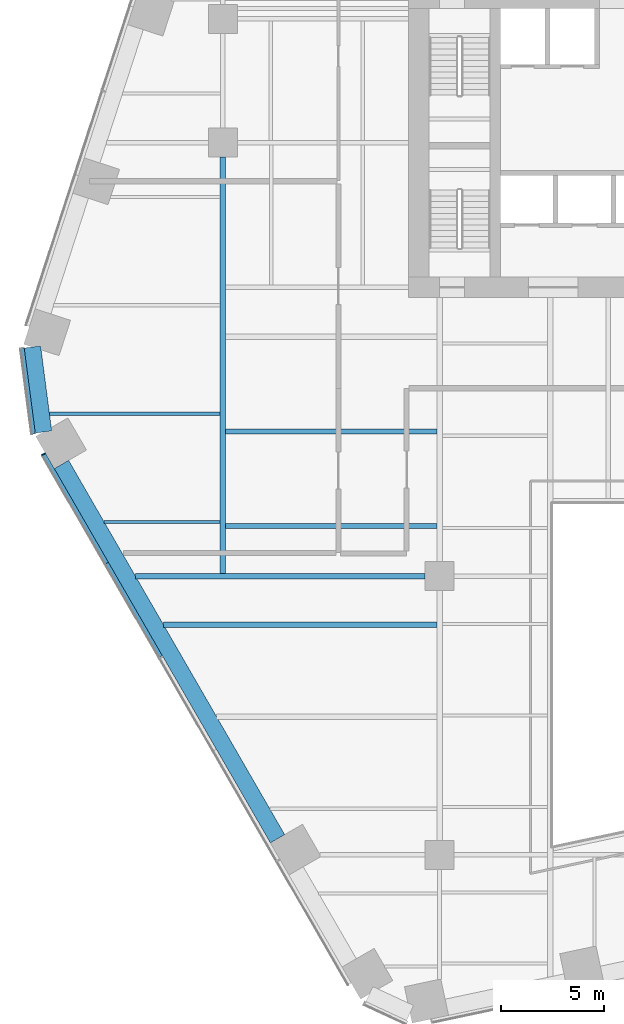
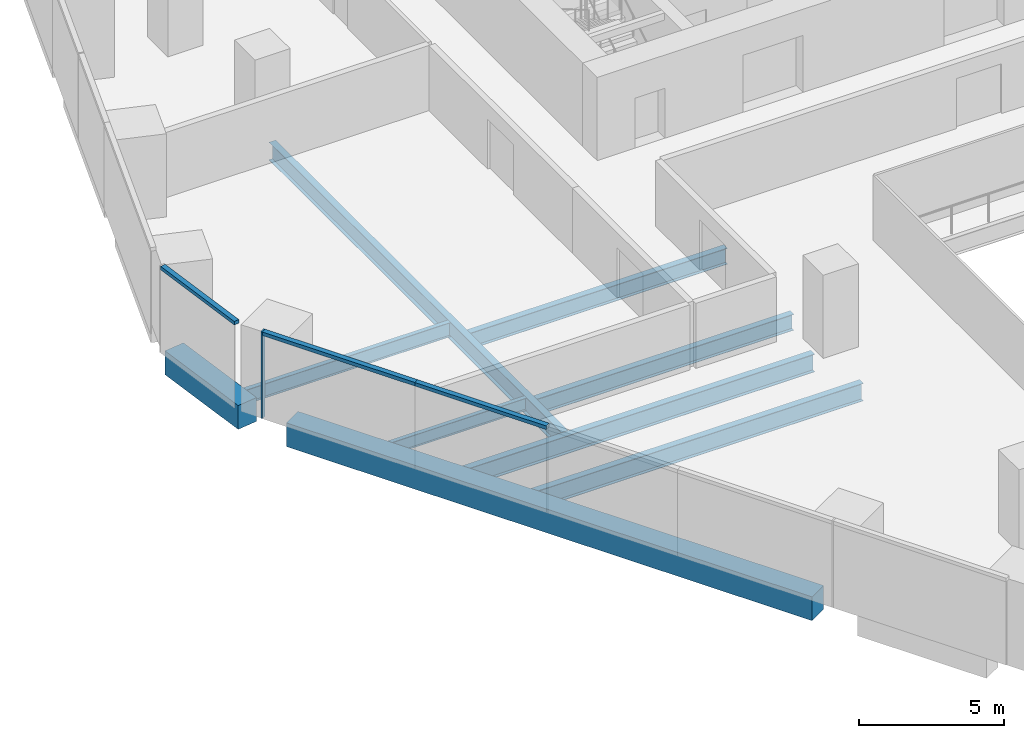
# One storey, part 3 of 20: 9 beams, 4 members, 2 elements without a shape of their own.
"""IFC4 building model written with IfcOpenShell, lengths in metres."""

import ifcopenshell
import ifcopenshell.guid

model = None  # the IFC model being written
_history = None  # IfcOwnerHistory: only IFC2X3 demands one
_inside = {}  # id of a spatial element -> (the spatial element, [elements in it])
_under = {}  # id of a project, library or spatial element -> (it, [spatial elements below it])
_declared = {}  # id of a project -> (the project, [libraries it declares])
_typed = {}  # id of a type object -> (the type object, [elements of that type])
_made_of = {}  # id of a material, layer set ... -> (it, [elements and type objects made of it])


def new_model(schema):
    """Start an empty IFC model of exactly this schema.

    Asked for "IFC4X3", IfcOpenShell would pick the latest addendum, in which some entities
    have other attributes; the version numbers below select the first issue.
    IFC2X3 requires an IfcOwnerHistory on every rooted entity: one is made here for all.
    """
    global model, _history
    if schema == "IFC4X3":
        model = ifcopenshell.file(schema_version=(4, 3, 0, 0))
    else:
        model = ifcopenshell.file(schema=schema)
    _inside.clear()
    _under.clear()
    _declared.clear()
    _typed.clear()
    _made_of.clear()
    _history = None
    if model.schema == "IFC2X3":
        org = make("IfcOrganization", Name="unknown")
        user = make(
            "IfcPersonAndOrganization",
            ThePerson=make("IfcPerson", FamilyName="unknown"),
            TheOrganization=org,
        )
        app = make(
            "IfcApplication",
            ApplicationDeveloper=org,
            Version="unknown",
            ApplicationFullName="unknown",
            ApplicationIdentifier="unknown",
        )
        _history = make(
            "IfcOwnerHistory",
            OwningUser=user,
            OwningApplication=app,
            ChangeAction="ADDED",
            CreationDate=0,
        )
    return model


def make(cls, **values):
    """One entity of the class cls with the attributes given. An attribute that is None is left unset."""
    return model.create_entity(
        cls, **{name: value for name, value in values.items() if value is not None}
    )


def rooted(cls, **values):
    """An entity with a GlobalId (a new one), such as an element, a storey or a relation."""
    return make(cls, GlobalId=ifcopenshell.guid.new(), OwnerHistory=_history, **values)


def si_unit(unit_type, name, prefix=None):
    """IfcSIUnit, for example si_unit("LENGTHUNIT", "METRE", prefix="MILLI")."""
    return make("IfcSIUnit", UnitType=unit_type, Prefix=prefix, Name=name)


def assignment(units):
    """IfcUnitAssignment: the units of a project."""
    return None if units is None else make("IfcUnitAssignment", Units=units)


def point(xyz):
    """IfcCartesianPoint."""
    return None if xyz is None else make("IfcCartesianPoint", Coordinates=xyz)


def direction(xyz):
    """IfcDirection."""
    return None if xyz is None else make("IfcDirection", DirectionRatios=xyz)


def frame(location, z_axis=None, x_axis=None):
    """IfcAxis2Placement3D, a coordinate frame: its origin and axes. An axis left out is left unset."""
    return make(
        "IfcAxis2Placement3D",
        Location=point(location),
        Axis=direction(z_axis),
        RefDirection=direction(x_axis),
    )


def frame_2d(location, x_axis=None):
    """IfcAxis2Placement2D, a coordinate frame in the plane: its origin and x axis."""
    return make(
        "IfcAxis2Placement2D", Location=point(location), RefDirection=direction(x_axis)
    )


def origin():
    """The frame at (0, 0, 0) with its axes left unset."""
    return frame((0.0, 0.0, 0.0))


def origin_2d():
    """The frame at (0, 0) in the plane with its x axis left unset."""
    return frame_2d((0.0, 0.0))


def place(relative_to, where):
    """IfcLocalPlacement: puts the frame where relative to a parent placement (None: the world)."""
    return make(
        "IfcLocalPlacement", PlacementRelTo=relative_to, RelativePlacement=where
    )


def context(
    kind, dimensions, precision=None, world=None, true_north=None, identifier=None
):
    """IfcGeometricRepresentationContext, for example the 3D "Model" context."""
    return make(
        "IfcGeometricRepresentationContext",
        ContextIdentifier=identifier,
        ContextType=kind,
        CoordinateSpaceDimension=dimensions,
        Precision=precision,
        WorldCoordinateSystem=world,
        TrueNorth=true_north,
    )


def subcontext(parent, identifier, kind, view, scale=None):
    """IfcGeometricRepresentationSubContext, for example "Body" below "Model"."""
    return make(
        "IfcGeometricRepresentationSubContext",
        ContextIdentifier=identifier,
        ContextType=kind,
        ParentContext=parent,
        TargetScale=scale,
        TargetView=view,
    )


def project(units=None, contexts=None):
    """IfcProject with its units and contexts."""
    return rooted(
        "IfcProject",
        Name="project",
        RepresentationContexts=contexts,
        UnitsInContext=assignment(units),
    )


def spatial(cls, under=None, at=None, **own):
    """A site, building, storey or space (cls), placed at a placement, below another one or the project."""
    s = rooted(cls, ObjectPlacement=at, **own)
    if under is not None:
        _under.setdefault(under.id(), (under, []))[1].append(s)
    return s


def profile(cls, at=None, kind="AREA", **sizes):
    """A parametric profile (cls). Its sizes go by their IFC names, for example OverallWidth=200.0."""
    return make(cls, ProfileType=kind, Position=at, **sizes)


def rectangle(**sizes):
    """IfcRectangleProfileDef."""
    return profile("IfcRectangleProfileDef", **sizes)


def i_section(**sizes):
    """IfcIShapeProfileDef."""
    return profile("IfcIShapeProfileDef", **sizes)


def extrude(swept, where, along, depth):
    """IfcExtrudedAreaSolid: the profile swept, set in the frame where, extruded along a direction by depth."""
    return make(
        "IfcExtrudedAreaSolid",
        SweptArea=swept,
        Position=where,
        ExtrudedDirection=direction(along),
        Depth=depth,
    )


def shape(context_of_items, identifier, shape_type, items):
    """IfcShapeRepresentation: the items that make up one representation, for example the "Body"."""
    return make(
        "IfcShapeRepresentation",
        ContextOfItems=context_of_items,
        RepresentationIdentifier=identifier,
        RepresentationType=shape_type,
        Items=items,
    )


def material(Name=None, Category=None):
    """IfcMaterial."""
    return make("IfcMaterial", Name=Name, Category=Category)


def layer(
    of_material, thickness, ventilated=None, Name=None, Category=None, Priority=None
):
    """IfcMaterialLayer: one layer of a wall or slab, of a material (None: an air gap)."""
    return make(
        "IfcMaterialLayer",
        Material=of_material,
        LayerThickness=thickness,
        IsVentilated=ventilated,
        Name=Name,
        Category=Category,
        Priority=Priority,
    )


def layer_set(layers, Name=None):
    """IfcMaterialLayerSet."""
    return make("IfcMaterialLayerSet", MaterialLayers=layers, LayerSetName=Name)


def material_profile(
    of_material, cross_section, Name=None, Category=None, Priority=None
):
    """IfcMaterialProfile: a cross section and its material."""
    return make(
        "IfcMaterialProfile",
        Name=Name,
        Material=of_material,
        Profile=cross_section,
        Priority=Priority,
        Category=Category,
    )


def profile_set(profiles, Name=None, composite=None):
    """IfcMaterialProfileSet."""
    return make(
        "IfcMaterialProfileSet",
        Name=Name,
        MaterialProfiles=profiles,
        CompositeProfile=composite,
    )


def made_of(thing, what):
    """Note that an element or type object is made of a material, layer set ...; save() writes the relation."""
    if what is not None:
        _made_of.setdefault(what.id(), (what, []))[1].append(thing)
    return thing


def type_object(cls, material=None, **own):
    """A type object (cls), such as IfcWallType, which elements share."""
    return made_of(rooted(cls, **own), material)


def element(
    cls,
    number,
    at=None,
    inside=None,
    cuts=None,
    type_object=None,
    material=None,
    context=None,
    identifier="Body",
    shape_type=None,
    held_by="IfcProductDefinitionShape",
    body=None,
    shapes=None,
    **own,
):
    """One element of the class cls, such as IfcWall. Its Tag is "e" and its number.

    at: its placement. inside: the storey or other place that contains it. cuts: it is an
    opening in that element (IfcRelVoidsElement). A single representation is given by context,
    identifier, shape_type and body (its items); several are given by shapes. held_by: the class
    of the entity that holds the representations. save() writes the other relations.
    """
    e = rooted(cls, Tag="e%d" % number, ObjectPlacement=at, **own)
    if body is not None:
        shapes = [shape(context, identifier, shape_type, body)]
    if shapes is not None:
        e.Representation = make(held_by, Representations=shapes)
    if inside is not None:
        _inside.setdefault(inside.id(), (inside, []))[1].append(e)
    if cuts is not None:
        rooted(
            "IfcRelVoidsElement", RelatingBuildingElement=cuts, RelatedOpeningElement=e
        )
    if type_object is not None:
        _typed.setdefault(type_object.id(), (type_object, []))[1].append(e)
    return made_of(e, material)


def aggregate(whole, parts):
    """IfcRelAggregates: a whole, such as a stair, and the parts it consists of."""
    return rooted("IfcRelAggregates", RelatingObject=whole, RelatedObjects=parts)


def save(model, path):
    """Write the relations noted so far, then the file.

    IfcRelAggregates (storeys below a building ...), IfcRelContainedInSpatialStructure (elements
    in a storey), IfcRelDefinesByType, IfcRelAssociatesMaterial and IfcRelDeclares: one each for
    every whole, place, type object, material and project.
    """
    for whole, parts in _under.values():
        aggregate(whole, parts)
    for where, things in _inside.values():
        rooted(
            "IfcRelContainedInSpatialStructure",
            RelatedElements=things,
            RelatingStructure=where,
        )
    for kind, things in _typed.values():
        rooted("IfcRelDefinesByType", RelatedObjects=things, RelatingType=kind)
    for what, things in _made_of.values():
        rooted("IfcRelAssociatesMaterial", RelatedObjects=things, RelatingMaterial=what)
    for by, libraries in _declared.values():
        rooted("IfcRelDeclares", RelatingContext=by, RelatedDefinitions=libraries)
    model.write(path)


model = new_model("IFC4")

# Units and contexts
model_context = context("Model", 3, precision=1e-05, world=origin(), true_north=direction((0.0, 1.0)))
body_context = subcontext(model_context, "Body", "Model", "MODEL_VIEW")
ifc_project = project(units=[si_unit("LENGTHUNIT", "METRE"), si_unit("AREAUNIT", "SQUARE_METRE"), si_unit("VOLUMEUNIT", "CUBIC_METRE"), si_unit("PLANEANGLEUNIT", "RADIAN"), si_unit("MASSUNIT", "GRAM", prefix="KILO")], contexts=[model_context])

# Site, building, storey
site_placement = place(None, origin())
site = spatial("IfcSite", under=ifc_project, at=site_placement, CompositionType="ELEMENT")
building_placement = place(site_placement, origin())
building = spatial("IfcBuilding", under=site, at=building_placement, Name="Isthmus Gate Tower", CompositionType="ELEMENT")
storey_placement = place(building_placement, frame((0.0, 0.0, 43.300048828125)))
storey = spatial("IfcBuildingStorey", under=building, at=storey_placement, Name="L08", CompositionType="ELEMENT", Elevation=43.300048828125)

# Curtain wall, member
ifc_material_1 = material(Name="Aluminium, pale champagne anodised", Category="aluminium")
ifc_layer = layer(ifc_material_1, 0.199951171875)
ifc_layer_set = layer_set([ifc_layer], Name="CW-1 UNITISED CURTAIN WALL 200 DEEP")
curtain_wall_type = type_object("IfcCurtainWallType", Name="CW-1 UNITISED CURTAIN WALL 200 DEEP", PredefinedType="NOTDEFINED", material=ifc_layer_set)
curtain_wall_1_placement = place(storey_placement, origin())
curtain_wall_1 = element("IfcCurtainWall", 1, at=curtain_wall_1_placement, inside=storey, type_object=curtain_wall_type, Name="CW-1 SW L08", PredefinedType="NOTDEFINED")
ifc_material_2 = material(Name="Aluminium, pale champagne anodised", Category="aluminium")
ifc_material_profile_1 = material_profile(ifc_material_2, rectangle(XDim=0.06005859375, YDim=0.199951171875, at=origin_2d()), Name="60x200")
ifc_profile_set_1 = profile_set([ifc_material_profile_1], Name="Aluminium, pale champagne anodised")
member_type_1 = type_object("IfcMemberType", Name="CW-1 MULLION 60 X 200", PredefinedType="MULLION", material=ifc_profile_set_1)
member_1_placement = place(storey_placement, frame((-32.685302734375, -7.58740234375, 0.0), z_axis=(0.0, 0.0, 1.0), x_axis=(0.5, -0.866025403784, 0.0)))
member_1 = element("IfcMember", 2, at=member_1_placement, type_object=member_type_1, Name="CW-1 mullion", PredefinedType="MULLION", context=body_context, shape_type="SweptSolid", body=[
    extrude(rectangle(XDim=0.06005859375, YDim=0.199951171875, at=origin_2d()), origin(), (0.0, 0.0, 1.0), 3.64990234375),
])

curtain_wall_2_placement = place(storey_placement, origin())
curtain_wall_2 = element("IfcCurtainWall", 3, at=curtain_wall_2_placement, inside=storey, type_object=curtain_wall_type, Name="CW-1 NW-SW L08", PredefinedType="NOTDEFINED")
ifc_material_3 = material(Name="Aluminium, pale champagne anodised", Category="aluminium")
ifc_material_profile_2 = material_profile(ifc_material_3, rectangle(XDim=0.199951171875, YDim=0.14990234375, at=origin_2d()), Name="200x150")
ifc_profile_set_2 = profile_set([ifc_material_profile_2], Name="Aluminium, pale champagne anodised")
member_type_2 = type_object("IfcMemberType", Name="CW-1 TRANSOM 200 X 150", PredefinedType="USERDEFINED", material=ifc_profile_set_2)
member_2_placement = place(storey_placement, frame((-33.71923828125, -2.474609375, 3.574951171875), z_axis=(0.129206893318, -0.991617657527, 0.0), x_axis=(0.991617657527, 0.129206893318, 0.0)))
member_2 = element("IfcMember", 4, at=member_2_placement, type_object=member_type_2, Name="CW-1 transom", ObjectType="TRANSOM", PredefinedType="USERDEFINED", context=body_context, shape_type="SweptSolid", body=[
    extrude(rectangle(XDim=0.199951171875, YDim=0.14990234375, at=origin_2d()), origin(), (0.0, 0.0, 1.0), 4.181640625),
])
aggregate(curtain_wall_2, [member_2])

# Member
member_3_placement = place(storey_placement, frame((-32.67041015625, -7.61328125, 3.574951171875), z_axis=(0.49999965181, -0.866025604812, 0.0), x_axis=(0.866025604812, 0.49999965181, 0.0)))
member_3 = element("IfcMember", 5, at=member_3_placement, type_object=member_type_2, Name="CW-1 transom", ObjectType="TRANSOM", PredefinedType="USERDEFINED", context=body_context, shape_type="SweptSolid", body=[
    extrude(rectangle(XDim=0.199951171875, YDim=0.14990234375, at=origin_2d()), origin(), (0.0, 0.0, 1.0), 6.07373046875),
])

member_4_placement = place(storey_placement, frame((-29.633544921875, -12.873291015625, 3.574951171875), z_axis=(0.500017221754, -0.866015460572, 0.0), x_axis=(0.866015460572, 0.500017221754, 0.0)))
member_4 = element("IfcMember", 6, at=member_4_placement, type_object=member_type_2, Name="CW-1 transom", ObjectType="TRANSOM", PredefinedType="USERDEFINED", context=body_context, shape_type="SweptSolid", body=[
    extrude(rectangle(XDim=0.199951171875, YDim=0.14990234375, at=origin_2d()), origin(), (0.0, 0.0, 1.0), 5.233642578125),
])

aggregate(curtain_wall_1, [member_1, member_3, member_4])

# Beams
ifc_material_4 = material(Name="Concrete f'c 70 MPa", Category="concrete")
ifc_material_profile_3 = material_profile(ifc_material_4, rectangle(XDim=0.800048828125, YDim=1.0, at=origin_2d()), Name="RC 800X1000")
ifc_profile_set_3 = profile_set([ifc_material_profile_3], Name="Concrete f'c 70 MPa")
beam_type_1 = type_object("IfcBeamType", Name="RC SPANDREL 800 X 1000", PredefinedType="SPANDREL", material=ifc_profile_set_3)
beam_1_placement = place(storey_placement, frame((-21.35009765625, -26.220458984375, -0.5), z_axis=(-0.500004778811, 0.866022644719, 0.0), x_axis=(-0.866022644719, -0.500004778811, 0.0)))
element("IfcBeam", 7, at=beam_1_placement, inside=storey, type_object=beam_type_1, Name="str-spandrel-L08-16", PredefinedType="SPANDREL", context=body_context, shape_type="SweptSolid", body=[
    extrude(rectangle(XDim=0.800048828125, YDim=1.0, at=origin_2d()), origin(), (0.0, 0.0, 1.0), 20.934326171875),
])
beam_2_placement = place(storey_placement, frame((-32.6884765625, -6.515380859375, -0.5), z_axis=(-0.129170777359, 0.991622362735, 0.0), x_axis=(-0.991622362735, -0.129170777359, 0.0)))
element("IfcBeam", 8, at=beam_2_placement, inside=storey, type_object=beam_type_1, Name="str-spandrel-L08-17", PredefinedType="SPANDREL", context=body_context, shape_type="SweptSolid", body=[
    extrude(rectangle(XDim=0.800048828125, YDim=1.0, at=origin_2d()), origin(), (0.0, 0.0, 1.0), 4.15234375),
])
ifc_material_5 = material(Name="Structural steel ASTM A992 Gr 50", Category="steel")
ifc_material_profile_4 = material_profile(ifc_material_5, i_section(OverallWidth=0.1650390625, OverallDepth=0.52392578125, WebThickness=0.009521484375, FlangeThickness=0.010986328125, at=origin_2d()), Name="W21X44")
ifc_profile_set_4 = profile_set([ifc_material_profile_4], Name="Structural steel ASTM A992 Gr 50")
beam_type_2 = type_object("IfcBeamType", Name="STEEL FLOOR BEAM W21X44", PredefinedType="JOIST", material=ifc_profile_set_4)
beam_3_placement = place(storey_placement, frame((-29.748046875, -10.875, -0.412109375), z_axis=(1.0, 0.0, 0.0), x_axis=(0.0, 1.0, 0.0)))
element("IfcBeam", 9, at=beam_3_placement, inside=storey, type_object=beam_type_2, Name="str-beam-L08-00-00", PredefinedType="JOIST", context=body_context, shape_type="SweptSolid", body=[
    extrude(i_section(OverallWidth=0.1650390625, OverallDepth=0.52392578125, WebThickness=0.009521484375, FlangeThickness=0.010986328125, at=origin_2d()), origin(), (0.0, 0.0, 1.0), 5.61474609375),
])
ifc_material_6 = material(Name="Structural steel ASTM A992 Gr 50", Category="steel")
ifc_material_profile_5 = material_profile(ifc_material_6, i_section(OverallWidth=0.177734375, OverallDepth=0.60009765625, WebThickness=0.009521484375, FlangeThickness=0.0126953125, at=origin_2d()), Name="W24X55")
ifc_profile_set_5 = profile_set([ifc_material_profile_5], Name="Structural steel ASTM A992 Gr 50")
beam_type_3 = type_object("IfcBeamType", Name="STEEL FLOOR BEAM W24X55", PredefinedType="JOIST", material=ifc_profile_set_5)
beam_4_placement = place(storey_placement, frame((-32.401123046875, -5.625, -0.4501953125), z_axis=(1.0, 0.0, 0.0), x_axis=(0.0, 1.0, 0.0)))
element("IfcBeam", 10, at=beam_4_placement, inside=storey, type_object=beam_type_3, Name="str-beam-L08-00-01", PredefinedType="JOIST", context=body_context, shape_type="SweptSolid", body=[
    extrude(i_section(OverallWidth=0.177734375, OverallDepth=0.60009765625, WebThickness=0.009521484375, FlangeThickness=0.0126953125, at=origin_2d()), origin(), (0.0, 0.0, 1.0), 8.267822265625),
])
ifc_material_7 = material(Name="Structural steel ASTM A992 Gr 50", Category="steel")
ifc_material_profile_6 = material_profile(ifc_material_7, i_section(OverallWidth=0.25390625, OverallDepth=0.679443359375, WebThickness=0.010986328125, FlangeThickness=0.015869140625, at=origin_2d()), Name="W27X84")
ifc_profile_set_6 = profile_set([ifc_material_profile_6], Name="Structural steel ASTM A992 Gr 50")
beam_type_4 = type_object("IfcBeamType", Name="STEEL FLOOR BEAM W27X84", PredefinedType="JOIST", material=ifc_profile_set_6)
for number, where, z_axis, x_axis, name in (
    (11, (-23.86669921875, -11.07470703125, -0.48974609375), (1.0, 0.0, 0.0), (0.0, 1.0, 0.0), "str-beam-L08-07-00"),
    (12, (-23.86669921875, -6.490478515625, -0.48974609375), (1.0, 0.0, 0.0), (0.0, 1.0, 0.0), "str-beam-L08-07-01"),
):
    element("IfcBeam", number, at=place(storey_placement, frame(where, z_axis=z_axis, x_axis=x_axis)), inside=storey, type_object=beam_type_4, Name=name, PredefinedType="JOIST", context=body_context, shape_type="SweptSolid", body=[
        extrude(i_section(OverallWidth=0.25390625, OverallDepth=0.679443359375, WebThickness=0.010986328125, FlangeThickness=0.015869140625, at=origin_2d()), origin(), (0.0, 0.0, 1.0), 10.23486328125),
    ])
ifc_material_8 = material(Name="Structural steel ASTM A992 Gr 50", Category="steel")
ifc_material_profile_7 = material_profile(ifc_material_8, i_section(OverallWidth=0.263427734375, OverallDepth=0.749267578125, WebThickness=0.0126953125, FlangeThickness=0.015869140625, at=origin_2d()), Name="W30X90")
ifc_profile_set_7 = profile_set([ifc_material_profile_7], Name="Structural steel ASTM A992 Gr 50")
beam_type_5 = type_object("IfcBeamType", Name="STEEL FLOOR BEAM W30X90", PredefinedType="JOIST", material=ifc_profile_set_7)
beam_5_placement = place(storey_placement, frame((-26.869140625, -15.861083984375, -0.524658203125), z_axis=(1.0, 0.0, 0.0), x_axis=(0.0, 1.0, 0.0)))
element("IfcBeam", 13, at=beam_5_placement, inside=storey, type_object=beam_type_5, Name="str-beam-L08-05-02", PredefinedType="JOIST", context=body_context, shape_type="SweptSolid", body=[
    extrude(i_section(OverallWidth=0.263427734375, OverallDepth=0.749267578125, WebThickness=0.0126953125, FlangeThickness=0.015869140625, at=origin_2d()), origin(), (0.0, 0.0, 1.0), 13.2373046875),
])
ifc_material_9 = material(Name="Structural steel ASTM A992 Gr 50", Category="steel")
ifc_material_profile_8 = material_profile(ifc_material_9, i_section(OverallWidth=0.2666015625, OverallDepth=0.7587890625, WebThickness=0.014404296875, FlangeThickness=0.01904296875, at=origin_2d()), Name="W30X108")
ifc_profile_set_8 = profile_set([ifc_material_profile_8], Name="Structural steel ASTM A992 Gr 50")
beam_type_6 = type_object("IfcBeamType", Name="STEEL GIRDER W30X108", PredefinedType="BEAM", material=ifc_profile_set_8)
beam_6_placement = place(storey_placement, frame((-28.232421875, -13.5, -0.529541015625), z_axis=(1.0, 0.0, 0.0), x_axis=(0.0, 1.0, 0.0)))
element("IfcBeam", 14, at=beam_6_placement, inside=storey, type_object=beam_type_6, Name="str-girder-L08-05", PredefinedType="BEAM", context=body_context, shape_type="SweptSolid", body=[
    extrude(i_section(OverallWidth=0.2666015625, OverallDepth=0.7587890625, WebThickness=0.014404296875, FlangeThickness=0.01904296875, at=origin_2d()), origin(), (0.0, 0.0, 1.0), 14.032470703125),
])
beam_7_placement = place(storey_placement, frame((-24.0, -13.36669921875, -0.529541015625), z_axis=(0.0, 1.0, 0.0), x_axis=(-1.0, 0.0, 0.0)))
element("IfcBeam", 15, at=beam_7_placement, inside=storey, type_object=beam_type_6, Name="str-girder-L08-20", PredefinedType="BEAM", context=body_context, shape_type="SweptSolid", body=[
    extrude(i_section(OverallWidth=0.2666015625, OverallDepth=0.7587890625, WebThickness=0.014404296875, FlangeThickness=0.01904296875, at=origin_2d()), origin(), (0.0, 0.0, 1.0), 20.166748046875),
])

save(model, "model.ifc")
